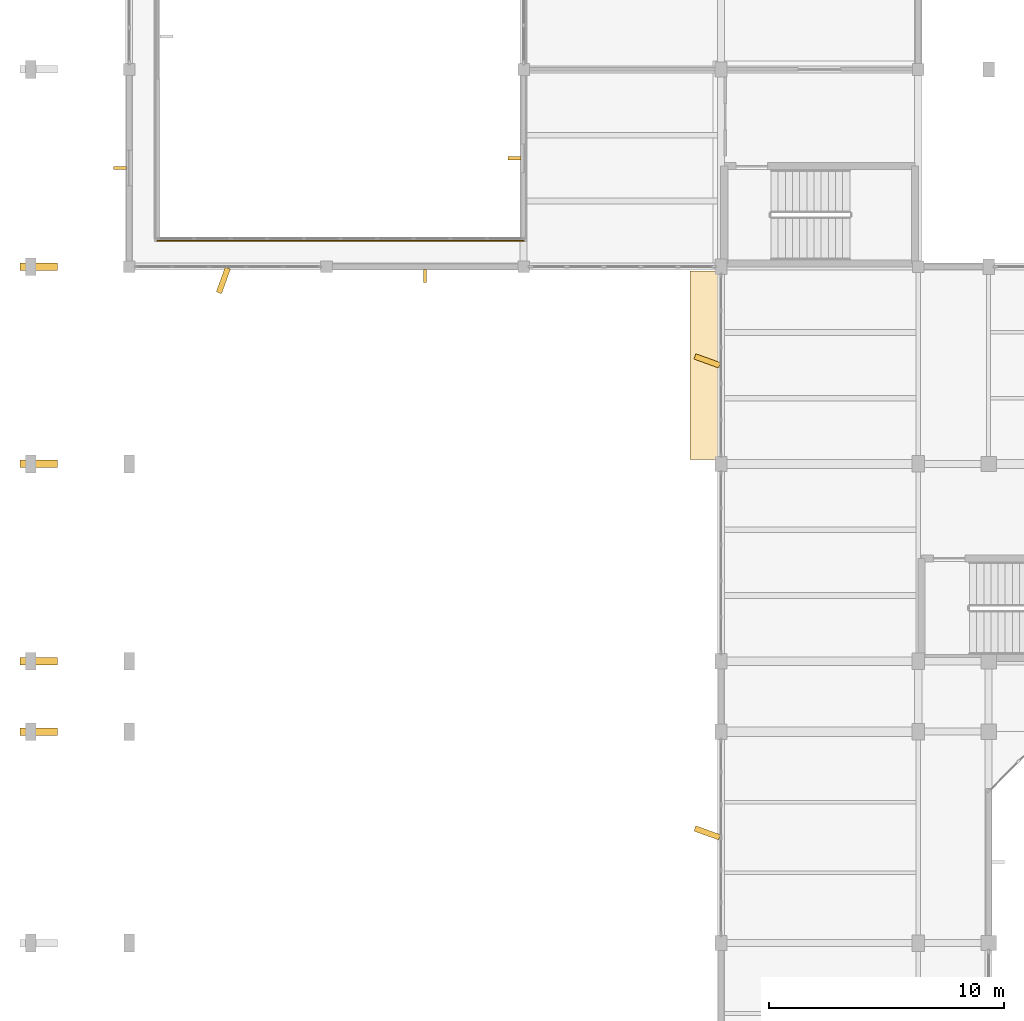
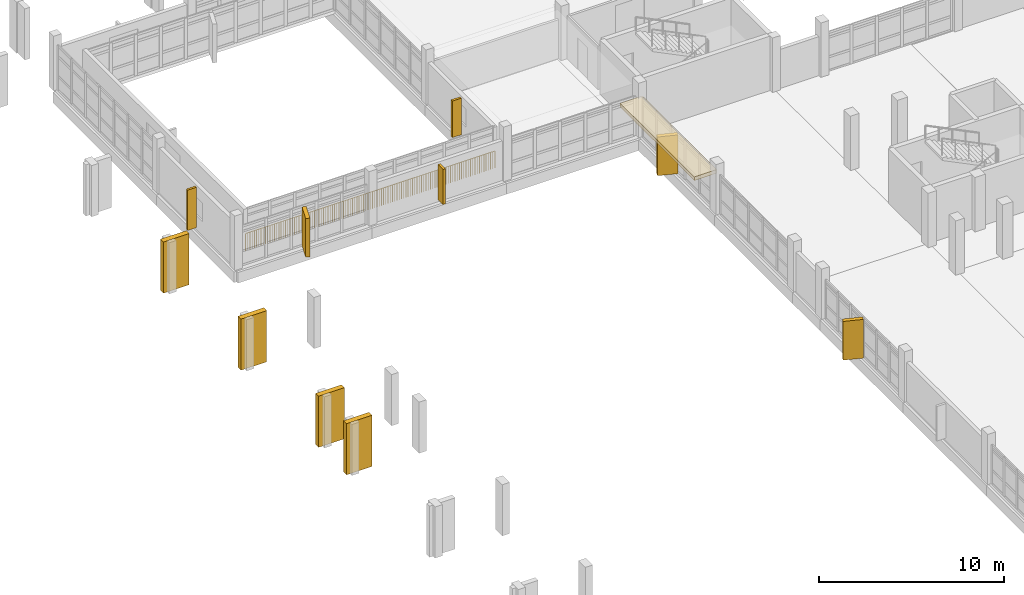
# One storey, part 91 of 104: 8 coverings, 3 shading devices, 1 railing.
"""IFC4 building model written with IfcOpenShell, lengths in metres."""

from ifc_helpers import new_model, si_unit, direction, frame, origin, origin_2d, place, context, subcontext, project, spatial, rectangle, circle, extrude, material, layer, layer_set, type_object, element, save


model = new_model("IFC4")

# Units and contexts
model_context = context("Model", 3, precision=1e-05, world=origin(), true_north=direction((0.0, 1.0)))
body_context = subcontext(model_context, "Body", "Model", "MODEL_VIEW")
ifc_project = project(units=[si_unit("LENGTHUNIT", "METRE"), si_unit("AREAUNIT", "SQUARE_METRE"), si_unit("VOLUMEUNIT", "CUBIC_METRE"), si_unit("PLANEANGLEUNIT", "RADIAN"), si_unit("MASSUNIT", "GRAM", prefix="KILO")], contexts=[model_context])

# Site, building, storey
site_placement = place(None, origin())
site = spatial("IfcSite", under=ifc_project, at=site_placement, CompositionType="ELEMENT")
building_placement = place(site_placement, origin())
building = spatial("IfcBuilding", under=site, at=building_placement, Name="Vanh Quang Courtyard School", CompositionType="ELEMENT")
storey_placement = place(building_placement, frame((0.0, 0.0, 4.199951171875)))
storey = spatial("IfcBuildingStorey", under=building, at=storey_placement, Name="L01", CompositionType="ELEMENT", Elevation=4.199951171875)

# Coverings
ifc_material_1 = material(Name="Board-marked precast concrete C40/50", Category="concrete")
ifc_layer = layer(ifc_material_1, 0.239990234375)
ifc_layer_set = layer_set([ifc_layer], Name="Board-marked precast concrete C40/50")
covering_type = type_object("IfcCoveringType", Name="COV-HOOD-CONC", PredefinedType="CLADDING", material=ifc_layer_set)
covering_1_placement = place(storey_placement, frame((28.81494140625, 64.090087890625, 0.0), z_axis=(0.0, 0.0, 1.0), x_axis=(-0.94028812701, 0.340379550213, 0.0)))
element("IfcCovering", 1, at=covering_1_placement, inside=storey, type_object=covering_type, Name="Covering CH-01 (L01)", PredefinedType="CLADDING", context=body_context, shape_type="SweptSolid", body=[
    extrude(rectangle(XDim=1.11669921875, YDim=0.239990234375, at=origin_2d()), origin(), (0.0, 0.0, 1.0), 2.56005859375),
])
covering_2_placement = place(storey_placement, frame((28.780029296875, 84.0, 2.33984375), z_axis=(0.0, 0.0, 1.0), x_axis=(0.0, 1.0, 0.0)))
element("IfcCovering", 2, at=covering_2_placement, inside=storey, type_object=covering_type, Name="Covering CH-01 (L01)", PredefinedType="CLADDING", context=body_context, shape_type="SweptSolid", body=[
    extrude(rectangle(XDim=8.033935546875, YDim=1.39990234375, at=origin_2d()), origin(), (0.0, 0.0, 1.0), 0.239990234375),
])
for number, where, z_axis, x_axis, name in (
    (3, (28.81494140625, 84.18994140625, 0.0), (0.0, 0.0, 1.0), (-0.94028812701, 0.340379550213, 0.0), "Covering CH-01 (L01)"),
    (4, (8.2099609375, 87.614990234375, 0.0), (0.0, 0.0, 1.0), (-0.340379550213, -0.94028812701, 0.0), "Covering CH-01 (L01)"),
):
    element("IfcCovering", number, at=place(storey_placement, frame(where, z_axis=z_axis, x_axis=x_axis)), inside=storey, type_object=covering_type, Name=name, PredefinedType="CLADDING", context=body_context, shape_type="SweptSolid", body=[
        extrude(rectangle(XDim=1.11669921875, YDim=0.239990234375, at=origin_2d()), origin(), (0.0, 0.0, 1.0), 2.56005859375),
    ])
for number, where, z_axis, x_axis, name in (
    (5, (0.35009765625, 68.39990234375, 0.0), (0.0, 0.0, 1.0), (1.0, 0.0, 0.0), "Covering CH-01 (L01)"),
    (6, (0.35009765625, 71.39990234375, 0.0), (0.0, 0.0, 1.0), (1.0, 0.0, 0.0), "Covering CH-01 (L01)"),
    (7, (0.35009765625, 79.800048828125, 0.0), (0.0, 0.0, 1.0), (1.0, 0.0, 0.0), "Covering CH-01 (L01)"),
    (8, (0.35009765625, 88.199951171875, 0.0), (0.0, 0.0, 1.0), (1.0, 0.0, 0.0), "Covering CH-01 (L01)"),
):
    element("IfcCovering", number, at=place(storey_placement, frame(where, z_axis=z_axis, x_axis=x_axis)), inside=storey, type_object=covering_type, Name=name, PredefinedType="CLADDING", context=body_context, shape_type="SweptSolid", body=[
        extrude(rectangle(XDim=1.60009765625, YDim=0.320068359375, at=origin_2d()), origin(), (0.0, 0.0, 1.0), 3.3798828125),
    ])

# Railing
ifc_material_2 = material(Name="Galvanised painted steel EN 10025-2 S355J2", Category="steel")
railing_type = type_object("IfcRailingType", Name="RAIL-GUARD-1150", PredefinedType="BALUSTRADE", material=ifc_material_2)
railing_placement = place(storey_placement, frame((5.39990234375, 89.300048828125, 0.0)))
element("IfcRailing", 9, at=railing_placement, inside=storey, type_object=railing_type, Name="Railing GR-01 (L01)", PredefinedType="BALUSTRADE", context=body_context, shape_type="SweptSolid", body=[
    extrude(circle(Radius=0.02392578125, at=origin_2d()), frame((0.0, 0.0, 1.1259765625), z_axis=(1.0, 0.0, 0.0), x_axis=(0.0, 1.0, 0.0)), (0.0, 0.0, 1.0), 15.60009765625),
    extrude(circle(Radius=0.02099609375, at=origin_2d()), origin(), (0.0, 0.0, 1.0), 1.101806640625),
    extrude(circle(Radius=0.02099609375, at=origin_2d()), frame((0.139404296875, 0.0, 0.0)), (0.0, 0.0, 1.0), 1.101806640625),
    extrude(circle(Radius=0.02099609375, at=origin_2d()), frame((0.278564453125, 0.0, 0.0)), (0.0, 0.0, 1.0), 1.101806640625),
    extrude(circle(Radius=0.02099609375, at=origin_2d()), frame((0.41796875, 0.0, 0.0)), (0.0, 0.0, 1.0), 1.101806640625),
    extrude(circle(Radius=0.02099609375, at=origin_2d()), frame((0.55712890625, 0.0, 0.0)), (0.0, 0.0, 1.0), 1.101806640625),
    extrude(circle(Radius=0.02099609375, at=origin_2d()), frame((0.696533203125, 0.0, 0.0)), (0.0, 0.0, 1.0), 1.101806640625),
    extrude(circle(Radius=0.02099609375, at=origin_2d()), frame((0.835693359375, 0.0, 0.0)), (0.0, 0.0, 1.0), 1.101806640625),
    extrude(circle(Radius=0.02099609375, at=origin_2d()), frame((0.97509765625, 0.0, 0.0)), (0.0, 0.0, 1.0), 1.101806640625),
    extrude(circle(Radius=0.02099609375, at=origin_2d()), frame((1.1142578125, 0.0, 0.0)), (0.0, 0.0, 1.0), 1.101806640625),
    extrude(circle(Radius=0.02099609375, at=origin_2d()), frame((1.253662109375, 0.0, 0.0)), (0.0, 0.0, 1.0), 1.101806640625),
    extrude(circle(Radius=0.02099609375, at=origin_2d()), frame((1.392822265625, 0.0, 0.0)), (0.0, 0.0, 1.0), 1.101806640625),
    extrude(circle(Radius=0.02099609375, at=origin_2d()), frame((1.5322265625, 0.0, 0.0)), (0.0, 0.0, 1.0), 1.101806640625),
    extrude(circle(Radius=0.02099609375, at=origin_2d()), frame((1.67138671875, 0.0, 0.0)), (0.0, 0.0, 1.0), 1.101806640625),
    extrude(circle(Radius=0.02099609375, at=origin_2d()), frame((1.810791015625, 0.0, 0.0)), (0.0, 0.0, 1.0), 1.101806640625),
    extrude(circle(Radius=0.02099609375, at=origin_2d()), frame((1.949951171875, 0.0, 0.0)), (0.0, 0.0, 1.0), 1.101806640625),
    extrude(circle(Radius=0.02099609375, at=origin_2d()), frame((2.08935546875, 0.0, 0.0)), (0.0, 0.0, 1.0), 1.101806640625),
    extrude(circle(Radius=0.02099609375, at=origin_2d()), frame((2.228515625, 0.0, 0.0)), (0.0, 0.0, 1.0), 1.101806640625),
    extrude(circle(Radius=0.02099609375, at=origin_2d()), frame((2.367919921875, 0.0, 0.0)), (0.0, 0.0, 1.0), 1.101806640625),
    extrude(circle(Radius=0.02099609375, at=origin_2d()), frame((2.507080078125, 0.0, 0.0)), (0.0, 0.0, 1.0), 1.101806640625),
    extrude(circle(Radius=0.02099609375, at=origin_2d()), frame((2.646484375, 0.0, 0.0)), (0.0, 0.0, 1.0), 1.101806640625),
    extrude(circle(Radius=0.02099609375, at=origin_2d()), frame((2.78564453125, 0.0, 0.0)), (0.0, 0.0, 1.0), 1.101806640625),
    extrude(circle(Radius=0.02099609375, at=origin_2d()), frame((2.925048828125, 0.0, 0.0)), (0.0, 0.0, 1.0), 1.101806640625),
    extrude(circle(Radius=0.02099609375, at=origin_2d()), frame((3.064208984375, 0.0, 0.0)), (0.0, 0.0, 1.0), 1.101806640625),
    extrude(circle(Radius=0.02099609375, at=origin_2d()), frame((3.20361328125, 0.0, 0.0)), (0.0, 0.0, 1.0), 1.101806640625),
    extrude(circle(Radius=0.02099609375, at=origin_2d()), frame((3.3427734375, 0.0, 0.0)), (0.0, 0.0, 1.0), 1.101806640625),
    extrude(circle(Radius=0.02099609375, at=origin_2d()), frame((3.482177734375, 0.0, 0.0)), (0.0, 0.0, 1.0), 1.101806640625),
    extrude(circle(Radius=0.02099609375, at=origin_2d()), frame((3.621337890625, 0.0, 0.0)), (0.0, 0.0, 1.0), 1.101806640625),
    extrude(circle(Radius=0.02099609375, at=origin_2d()), frame((3.7607421875, 0.0, 0.0)), (0.0, 0.0, 1.0), 1.101806640625),
    extrude(circle(Radius=0.02099609375, at=origin_2d()), frame((3.89990234375, 0.0, 0.0)), (0.0, 0.0, 1.0), 1.101806640625),
    extrude(circle(Radius=0.02099609375, at=origin_2d()), frame((4.039306640625, 0.0, 0.0)), (0.0, 0.0, 1.0), 1.101806640625),
    extrude(circle(Radius=0.02099609375, at=origin_2d()), frame((4.1787109375, 0.0, 0.0)), (0.0, 0.0, 1.0), 1.101806640625),
    extrude(circle(Radius=0.02099609375, at=origin_2d()), frame((4.31787109375, 0.0, 0.0)), (0.0, 0.0, 1.0), 1.101806640625),
    extrude(circle(Radius=0.02099609375, at=origin_2d()), frame((4.457275390625, 0.0, 0.0)), (0.0, 0.0, 1.0), 1.101806640625),
    extrude(circle(Radius=0.02099609375, at=origin_2d()), frame((4.596435546875, 0.0, 0.0)), (0.0, 0.0, 1.0), 1.101806640625),
    extrude(circle(Radius=0.02099609375, at=origin_2d()), frame((4.73583984375, 0.0, 0.0)), (0.0, 0.0, 1.0), 1.101806640625),
    extrude(circle(Radius=0.02099609375, at=origin_2d()), frame((4.875, 0.0, 0.0)), (0.0, 0.0, 1.0), 1.101806640625),
    extrude(circle(Radius=0.02099609375, at=origin_2d()), frame((5.014404296875, 0.0, 0.0)), (0.0, 0.0, 1.0), 1.101806640625),
    extrude(circle(Radius=0.02099609375, at=origin_2d()), frame((5.153564453125, 0.0, 0.0)), (0.0, 0.0, 1.0), 1.101806640625),
    extrude(circle(Radius=0.02099609375, at=origin_2d()), frame((5.29296875, 0.0, 0.0)), (0.0, 0.0, 1.0), 1.101806640625),
    extrude(circle(Radius=0.02099609375, at=origin_2d()), frame((5.43212890625, 0.0, 0.0)), (0.0, 0.0, 1.0), 1.101806640625),
    extrude(circle(Radius=0.02099609375, at=origin_2d()), frame((5.571533203125, 0.0, 0.0)), (0.0, 0.0, 1.0), 1.101806640625),
    extrude(circle(Radius=0.02099609375, at=origin_2d()), frame((5.710693359375, 0.0, 0.0)), (0.0, 0.0, 1.0), 1.101806640625),
    extrude(circle(Radius=0.02099609375, at=origin_2d()), frame((5.85009765625, 0.0, 0.0)), (0.0, 0.0, 1.0), 1.101806640625),
    extrude(circle(Radius=0.02099609375, at=origin_2d()), frame((5.9892578125, 0.0, 0.0)), (0.0, 0.0, 1.0), 1.101806640625),
    extrude(circle(Radius=0.02099609375, at=origin_2d()), frame((6.128662109375, 0.0, 0.0)), (0.0, 0.0, 1.0), 1.101806640625),
    extrude(circle(Radius=0.02099609375, at=origin_2d()), frame((6.267822265625, 0.0, 0.0)), (0.0, 0.0, 1.0), 1.101806640625),
    extrude(circle(Radius=0.02099609375, at=origin_2d()), frame((6.4072265625, 0.0, 0.0)), (0.0, 0.0, 1.0), 1.101806640625),
    extrude(circle(Radius=0.02099609375, at=origin_2d()), frame((6.54638671875, 0.0, 0.0)), (0.0, 0.0, 1.0), 1.101806640625),
    extrude(circle(Radius=0.02099609375, at=origin_2d()), frame((6.685791015625, 0.0, 0.0)), (0.0, 0.0, 1.0), 1.101806640625),
    extrude(circle(Radius=0.02099609375, at=origin_2d()), frame((6.824951171875, 0.0, 0.0)), (0.0, 0.0, 1.0), 1.101806640625),
    extrude(circle(Radius=0.02099609375, at=origin_2d()), frame((6.96435546875, 0.0, 0.0)), (0.0, 0.0, 1.0), 1.101806640625),
    extrude(circle(Radius=0.02099609375, at=origin_2d()), frame((7.103515625, 0.0, 0.0)), (0.0, 0.0, 1.0), 1.101806640625),
    extrude(circle(Radius=0.02099609375, at=origin_2d()), frame((7.242919921875, 0.0, 0.0)), (0.0, 0.0, 1.0), 1.101806640625),
    extrude(circle(Radius=0.02099609375, at=origin_2d()), frame((7.382080078125, 0.0, 0.0)), (0.0, 0.0, 1.0), 1.101806640625),
    extrude(circle(Radius=0.02099609375, at=origin_2d()), frame((7.521484375, 0.0, 0.0)), (0.0, 0.0, 1.0), 1.101806640625),
    extrude(circle(Radius=0.02099609375, at=origin_2d()), frame((7.66064453125, 0.0, 0.0)), (0.0, 0.0, 1.0), 1.101806640625),
    extrude(circle(Radius=0.02099609375, at=origin_2d()), frame((7.800048828125, 0.0, 0.0)), (0.0, 0.0, 1.0), 1.101806640625),
    extrude(circle(Radius=0.02099609375, at=origin_2d()), frame((7.939453125, 0.0, 0.0)), (0.0, 0.0, 1.0), 1.101806640625),
    extrude(circle(Radius=0.02099609375, at=origin_2d()), frame((8.07861328125, 0.0, 0.0)), (0.0, 0.0, 1.0), 1.101806640625),
    extrude(circle(Radius=0.02099609375, at=origin_2d()), frame((8.218017578125, 0.0, 0.0)), (0.0, 0.0, 1.0), 1.101806640625),
    extrude(circle(Radius=0.02099609375, at=origin_2d()), frame((8.357177734375, 0.0, 0.0)), (0.0, 0.0, 1.0), 1.101806640625),
    extrude(circle(Radius=0.02099609375, at=origin_2d()), frame((8.49658203125, 0.0, 0.0)), (0.0, 0.0, 1.0), 1.101806640625),
    extrude(circle(Radius=0.02099609375, at=origin_2d()), frame((8.6357421875, 0.0, 0.0)), (0.0, 0.0, 1.0), 1.101806640625),
    extrude(circle(Radius=0.02099609375, at=origin_2d()), frame((8.775146484375, 0.0, 0.0)), (0.0, 0.0, 1.0), 1.101806640625),
    extrude(circle(Radius=0.02099609375, at=origin_2d()), frame((8.914306640625, 0.0, 0.0)), (0.0, 0.0, 1.0), 1.101806640625),
    extrude(circle(Radius=0.02099609375, at=origin_2d()), frame((9.0537109375, 0.0, 0.0)), (0.0, 0.0, 1.0), 1.101806640625),
    extrude(circle(Radius=0.02099609375, at=origin_2d()), frame((9.19287109375, 0.0, 0.0)), (0.0, 0.0, 1.0), 1.101806640625),
    extrude(circle(Radius=0.02099609375, at=origin_2d()), frame((9.332275390625, 0.0, 0.0)), (0.0, 0.0, 1.0), 1.101806640625),
    extrude(circle(Radius=0.02099609375, at=origin_2d()), frame((9.471435546875, 0.0, 0.0)), (0.0, 0.0, 1.0), 1.101806640625),
    extrude(circle(Radius=0.02099609375, at=origin_2d()), frame((9.61083984375, 0.0, 0.0)), (0.0, 0.0, 1.0), 1.101806640625),
    extrude(circle(Radius=0.02099609375, at=origin_2d()), frame((9.75, 0.0, 0.0)), (0.0, 0.0, 1.0), 1.101806640625),
    extrude(circle(Radius=0.02099609375, at=origin_2d()), frame((9.889404296875, 0.0, 0.0)), (0.0, 0.0, 1.0), 1.101806640625),
    extrude(circle(Radius=0.02099609375, at=origin_2d()), frame((10.028564453125, 0.0, 0.0)), (0.0, 0.0, 1.0), 1.101806640625),
    extrude(circle(Radius=0.02099609375, at=origin_2d()), frame((10.16796875, 0.0, 0.0)), (0.0, 0.0, 1.0), 1.101806640625),
    extrude(circle(Radius=0.02099609375, at=origin_2d()), frame((10.30712890625, 0.0, 0.0)), (0.0, 0.0, 1.0), 1.101806640625),
    extrude(circle(Radius=0.02099609375, at=origin_2d()), frame((10.446533203125, 0.0, 0.0)), (0.0, 0.0, 1.0), 1.101806640625),
    extrude(circle(Radius=0.02099609375, at=origin_2d()), frame((10.585693359375, 0.0, 0.0)), (0.0, 0.0, 1.0), 1.101806640625),
    extrude(circle(Radius=0.02099609375, at=origin_2d()), frame((10.72509765625, 0.0, 0.0)), (0.0, 0.0, 1.0), 1.101806640625),
    extrude(circle(Radius=0.02099609375, at=origin_2d()), frame((10.8642578125, 0.0, 0.0)), (0.0, 0.0, 1.0), 1.101806640625),
    extrude(circle(Radius=0.02099609375, at=origin_2d()), frame((11.003662109375, 0.0, 0.0)), (0.0, 0.0, 1.0), 1.101806640625),
    extrude(circle(Radius=0.02099609375, at=origin_2d()), frame((11.142822265625, 0.0, 0.0)), (0.0, 0.0, 1.0), 1.101806640625),
    extrude(circle(Radius=0.02099609375, at=origin_2d()), frame((11.2822265625, 0.0, 0.0)), (0.0, 0.0, 1.0), 1.101806640625),
    extrude(circle(Radius=0.02099609375, at=origin_2d()), frame((11.42138671875, 0.0, 0.0)), (0.0, 0.0, 1.0), 1.101806640625),
    extrude(circle(Radius=0.02099609375, at=origin_2d()), frame((11.560791015625, 0.0, 0.0)), (0.0, 0.0, 1.0), 1.101806640625),
    extrude(circle(Radius=0.02099609375, at=origin_2d()), frame((11.7001953125, 0.0, 0.0)), (0.0, 0.0, 1.0), 1.101806640625),
    extrude(circle(Radius=0.02099609375, at=origin_2d()), frame((11.83935546875, 0.0, 0.0)), (0.0, 0.0, 1.0), 1.101806640625),
    extrude(circle(Radius=0.02099609375, at=origin_2d()), frame((11.978759765625, 0.0, 0.0)), (0.0, 0.0, 1.0), 1.101806640625),
    extrude(circle(Radius=0.02099609375, at=origin_2d()), frame((12.117919921875, 0.0, 0.0)), (0.0, 0.0, 1.0), 1.101806640625),
    extrude(circle(Radius=0.02099609375, at=origin_2d()), frame((12.25732421875, 0.0, 0.0)), (0.0, 0.0, 1.0), 1.101806640625),
    extrude(circle(Radius=0.02099609375, at=origin_2d()), frame((12.396484375, 0.0, 0.0)), (0.0, 0.0, 1.0), 1.101806640625),
    extrude(circle(Radius=0.02099609375, at=origin_2d()), frame((12.535888671875, 0.0, 0.0)), (0.0, 0.0, 1.0), 1.101806640625),
    extrude(circle(Radius=0.02099609375, at=origin_2d()), frame((12.675048828125, 0.0, 0.0)), (0.0, 0.0, 1.0), 1.101806640625),
    extrude(circle(Radius=0.02099609375, at=origin_2d()), frame((12.814453125, 0.0, 0.0)), (0.0, 0.0, 1.0), 1.101806640625),
    extrude(circle(Radius=0.02099609375, at=origin_2d()), frame((12.95361328125, 0.0, 0.0)), (0.0, 0.0, 1.0), 1.101806640625),
    extrude(circle(Radius=0.02099609375, at=origin_2d()), frame((13.093017578125, 0.0, 0.0)), (0.0, 0.0, 1.0), 1.101806640625),
    extrude(circle(Radius=0.02099609375, at=origin_2d()), frame((13.232177734375, 0.0, 0.0)), (0.0, 0.0, 1.0), 1.101806640625),
    extrude(circle(Radius=0.02099609375, at=origin_2d()), frame((13.37158203125, 0.0, 0.0)), (0.0, 0.0, 1.0), 1.101806640625),
    extrude(circle(Radius=0.02099609375, at=origin_2d()), frame((13.5107421875, 0.0, 0.0)), (0.0, 0.0, 1.0), 1.101806640625),
    extrude(circle(Radius=0.02099609375, at=origin_2d()), frame((13.650146484375, 0.0, 0.0)), (0.0, 0.0, 1.0), 1.101806640625),
    extrude(circle(Radius=0.02099609375, at=origin_2d()), frame((13.789306640625, 0.0, 0.0)), (0.0, 0.0, 1.0), 1.101806640625),
    extrude(circle(Radius=0.02099609375, at=origin_2d()), frame((13.9287109375, 0.0, 0.0)), (0.0, 0.0, 1.0), 1.101806640625),
    extrude(circle(Radius=0.02099609375, at=origin_2d()), frame((14.06787109375, 0.0, 0.0)), (0.0, 0.0, 1.0), 1.101806640625),
    extrude(circle(Radius=0.02099609375, at=origin_2d()), frame((14.207275390625, 0.0, 0.0)), (0.0, 0.0, 1.0), 1.101806640625),
    extrude(circle(Radius=0.02099609375, at=origin_2d()), frame((14.346435546875, 0.0, 0.0)), (0.0, 0.0, 1.0), 1.101806640625),
    extrude(circle(Radius=0.02099609375, at=origin_2d()), frame((14.48583984375, 0.0, 0.0)), (0.0, 0.0, 1.0), 1.101806640625),
    extrude(circle(Radius=0.02099609375, at=origin_2d()), frame((14.625, 0.0, 0.0)), (0.0, 0.0, 1.0), 1.101806640625),
    extrude(circle(Radius=0.02099609375, at=origin_2d()), frame((14.764404296875, 0.0, 0.0)), (0.0, 0.0, 1.0), 1.101806640625),
    extrude(circle(Radius=0.02099609375, at=origin_2d()), frame((14.903564453125, 0.0, 0.0)), (0.0, 0.0, 1.0), 1.101806640625),
    extrude(circle(Radius=0.02099609375, at=origin_2d()), frame((15.04296875, 0.0, 0.0)), (0.0, 0.0, 1.0), 1.101806640625),
    extrude(circle(Radius=0.02099609375, at=origin_2d()), frame((15.18212890625, 0.0, 0.0)), (0.0, 0.0, 1.0), 1.101806640625),
    extrude(circle(Radius=0.02099609375, at=origin_2d()), frame((15.321533203125, 0.0, 0.0)), (0.0, 0.0, 1.0), 1.101806640625),
    extrude(circle(Radius=0.02099609375, at=origin_2d()), frame((15.460693359375, 0.0, 0.0)), (0.0, 0.0, 1.0), 1.101806640625),
    extrude(circle(Radius=0.02099609375, at=origin_2d()), frame((15.60009765625, 0.0, 0.0)), (0.0, 0.0, 1.0), 1.101806640625),
])

# Shading devices
shading_device_type = type_object("IfcShadingDeviceType", Name="SHD-FIN-CONCRETE", PredefinedType="USERDEFINED", material=ifc_material_1)
shading_device_1_placement = place(storey_placement, frame((16.800048828125, 87.804931640625, 0.14990234375), z_axis=(0.0, 0.0, 1.0), x_axis=(-1.0, 0.0, 0.0)))
element("IfcShadingDevice", 10, at=shading_device_1_placement, inside=storey, type_object=shading_device_type, Name="Solar Shading SH-02 (L01)", ObjectType="Solar Shading SH-02 (L01)", PredefinedType="USERDEFINED", context=body_context, shape_type="SweptSolid", body=[
    extrude(rectangle(XDim=0.139892578125, YDim=0.550048828125, at=origin_2d()), origin(), (0.0, 0.0, 1.0), 2.320068359375),
])
shading_device_2_placement = place(storey_placement, frame((3.804931640625, 92.39990234375, 0.14990234375), z_axis=(0.0, 0.0, 1.0), x_axis=(0.0, 1.0, 0.0)))
element("IfcShadingDevice", 11, at=shading_device_2_placement, inside=storey, type_object=shading_device_type, Name="Solar Shading SH-02 (L01)", ObjectType="Solar Shading SH-02 (L01)", PredefinedType="USERDEFINED", context=body_context, shape_type="SweptSolid", body=[
    extrude(rectangle(XDim=0.139892578125, YDim=0.550048828125, at=origin_2d()), origin(), (0.0, 0.0, 1.0), 2.659912109375),
])
shading_device_3_placement = place(storey_placement, frame((20.60498046875, 92.81591796875, 0.150146484375), z_axis=(0.0, 0.0, 1.0), x_axis=(0.0, 1.0, 0.0)))
element("IfcShadingDevice", 12, at=shading_device_3_placement, inside=storey, type_object=shading_device_type, Name="Solar Shading SH-02 (L01)", ObjectType="Solar Shading SH-02 (L01)", PredefinedType="USERDEFINED", context=body_context, shape_type="SweptSolid", body=[
    extrude(rectangle(XDim=0.139892578125, YDim=0.550048828125, at=origin_2d()), origin(), (0.0, 0.0, 1.0), 2.419921875),
])

save(model, "model.ifc")
